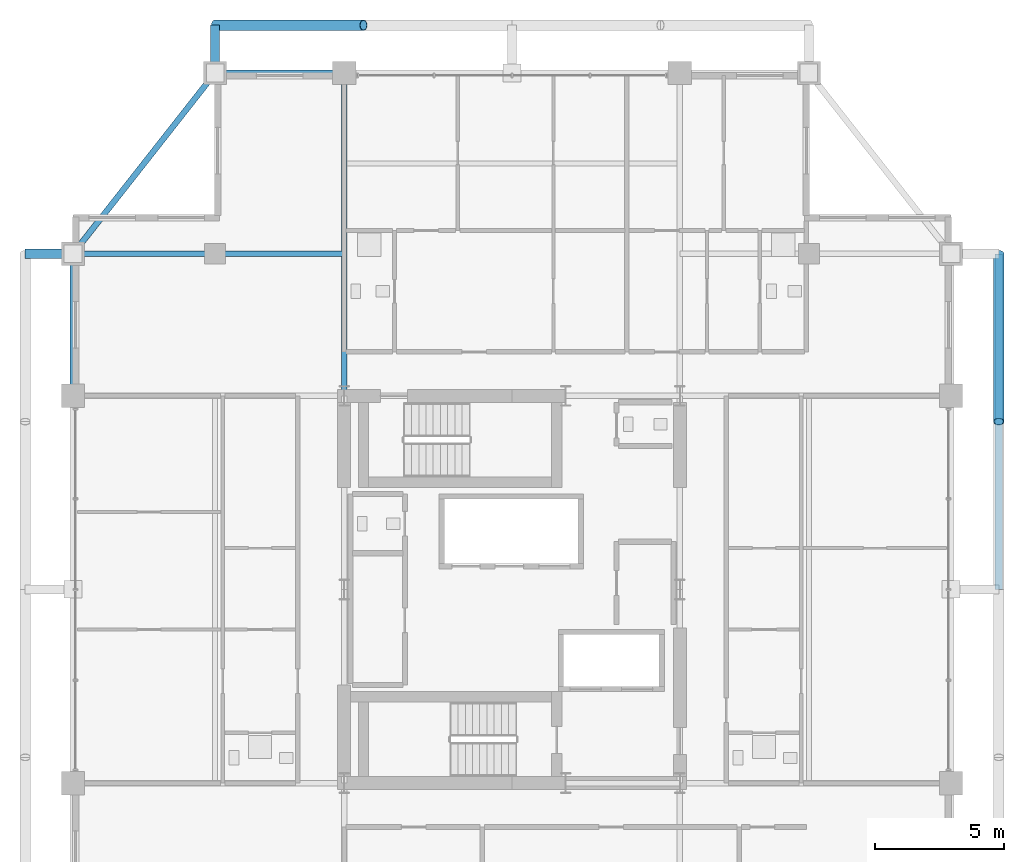
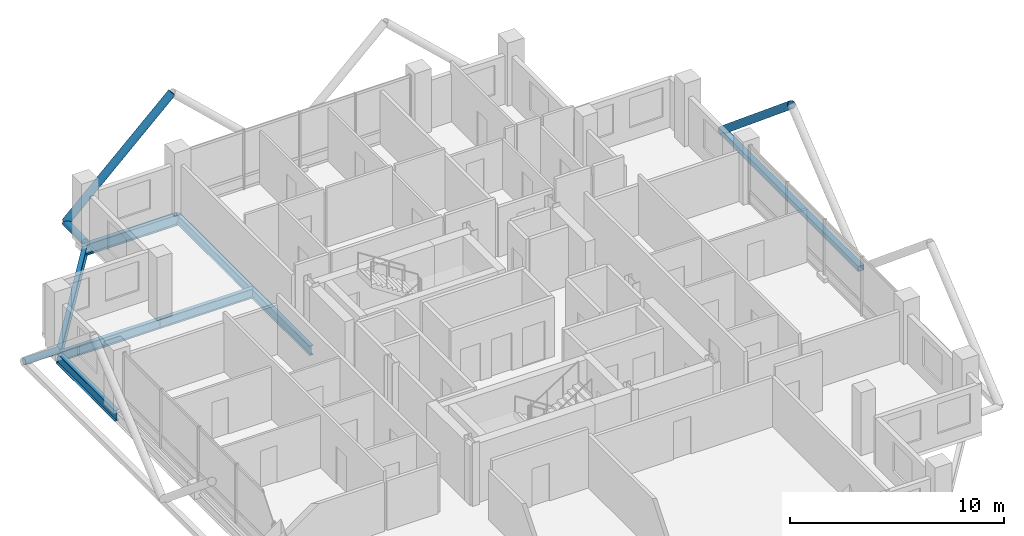
# One storey, part 14 of 24: 6 beams, 5 members.
"""IFC4 building model written with IfcOpenShell, lengths in metres."""

from ifc_helpers import new_model, si_unit, direction, frame, origin, origin_2d, place, context, subcontext, project, spatial, hollow_rectangle, hollow_circle, i_section, extrude, material, material_profile, profile_set, type_object, element, save


model = new_model("IFC4")

# Units and contexts
model_context = context("Model", 3, precision=1e-05, world=origin(), true_north=direction((0.0, 1.0)))
body_context = subcontext(model_context, "Body", "Model", "MODEL_VIEW")
ifc_project = project(units=[si_unit("LENGTHUNIT", "METRE"), si_unit("AREAUNIT", "SQUARE_METRE"), si_unit("VOLUMEUNIT", "CUBIC_METRE"), si_unit("PLANEANGLEUNIT", "RADIAN"), si_unit("MASSUNIT", "GRAM", prefix="KILO")], contexts=[model_context])

# Site, building, storey
site_placement = place(None, origin())
site = spatial("IfcSite", under=ifc_project, at=site_placement, CompositionType="ELEMENT")
building_placement = place(site_placement, origin())
building = spatial("IfcBuilding", under=site, at=building_placement, Name="Barlavira Tower and Art Museum", CompositionType="ELEMENT")
storey_placement = place(building_placement, frame((0.0, 0.0, 251.10009765625)))
storey = spatial("IfcBuildingStorey", under=building, at=storey_placement, Name="L65", CompositionType="ELEMENT", Elevation=251.10009765625)

# Members
ifc_material = material(Name="Steel S355", Category="steel")
ifc_material_profile_1 = material_profile(ifc_material, hollow_circle(Radius=0.203125, WallThickness=0.01611328125, at=origin_2d()), Name="CHS 406.4x16.0")
ifc_profile_set_1 = profile_set([ifc_material_profile_1], Name="Steel S355")
member_type_1 = type_object("IfcMemberType", Name="Pale-Metal Exoskeleton Diagrid Tube CHS 406x16 Steel S355", PredefinedType="BRACE", material=ifc_profile_set_1)
member_1_placement = place(storey_placement, frame((-11.5, 21.85009765625, -0.1201171875), z_axis=(0.728950095515, 0.0, 0.684566839869), x_axis=(0.0, 1.0, 0.0)))
element("IfcMember", 1, at=member_1_placement, inside=storey, type_object=member_type_1, Name="L65 Exoskeleton Diagrid Tube N", PredefinedType="BRACE", context=body_context, shape_type="SweptSolid", body=[
    extrude(hollow_circle(Radius=0.203125, WallThickness=0.01611328125, at=origin_2d()), origin(), (0.0, 0.0, 1.0), 7.887939453125),
])
member_2_placement = place(storey_placement, frame((18.85009765625, 13.0, -0.1201171875), z_axis=(0.0, -0.769196053329, 0.639012857104), x_axis=(1.0, 0.0, 0.0)))
element("IfcMember", 2, at=member_2_placement, inside=storey, type_object=member_type_1, Name="L65 Exoskeleton Diagrid Tube E", PredefinedType="BRACE", context=body_context, shape_type="SweptSolid", body=[
    extrude(hollow_circle(Radius=0.203125, WallThickness=0.01611328125, at=origin_2d()), origin(), (0.0, 0.0, 1.0), 8.450439453125),
])
ifc_material_profile_2 = material_profile(ifc_material, hollow_circle(Radius=0.177734375, WallThickness=0.01611328125, at=origin_2d()), Name="CHS 355.6x16.0")
ifc_profile_set_2 = profile_set([ifc_material_profile_2], Name="Steel S355")
member_type_2 = type_object("IfcMemberType", Name="Pale-Metal Exoskeleton Tie Strut CHS 356x16 Steel S355", PredefinedType="STRUT", material=ifc_profile_set_2)
for number, where, z_axis, x_axis, name in (
    (3, (-11.5, 21.85009765625, -0.1201171875), (0.0, -1.0, 0.0), (1.0, 0.0, 0.0), "L65 Exoskeleton Tie Strut N1"),
    (4, (-18.85009765625, 13.0, -0.1201171875), (1.0, 0.0, 0.0), (0.0, 1.0, 0.0), "L65 Exoskeleton Tie Strut W3"),
):
    element("IfcMember", number, at=place(storey_placement, frame(where, z_axis=z_axis, x_axis=x_axis)), inside=storey, type_object=member_type_2, Name=name, PredefinedType="STRUT", context=body_context, shape_type="SweptSolid", body=[
        extrude(hollow_circle(Radius=0.177734375, WallThickness=0.01611328125, at=origin_2d()), origin(), (0.0, 0.0, 1.0), 1.85009765625),
    ])
ifc_material_profile_3 = material_profile(ifc_material, hollow_rectangle(XDim=0.300048828125, YDim=0.300048828125, WallThickness=0.01611328125, at=origin_2d()), Name="SHS 300x300x16.0")
ifc_profile_set_3 = profile_set([ifc_material_profile_3], Name="Steel S355")
member_type_3 = type_object("IfcMemberType", Name="Pale-Metal Upper Ring Strut SHS 300x300x16 Steel S355", PredefinedType="STRUT", material=ifc_profile_set_3)
member_3_placement = place(storey_placement, frame((18.85009765625, 0.0, -0.1201171875), z_axis=(0.0, 1.0, 0.0), x_axis=(-1.0, 0.0, 0.0)))
element("IfcMember", 5, at=member_3_placement, inside=storey, type_object=member_type_3, Name="L65 Exoskeleton Ring Strut E", PredefinedType="STRUT", context=body_context, shape_type="SweptSolid", body=[
    extrude(hollow_rectangle(XDim=0.300048828125, YDim=0.300048828125, WallThickness=0.01611328125, at=origin_2d()), origin(), (0.0, 0.0, 1.0), 13.0),
])

# Beams
ifc_material_profile_4 = material_profile(ifc_material, i_section(OverallWidth=0.22998046875, OverallDepth=0.616943359375, WebThickness=0.01318359375, FlangeThickness=0.022216796875, at=origin_2d()), Name="W610x140.0")
ifc_profile_set_4 = profile_set([ifc_material_profile_4], Name="Steel S355")
beam_type_1 = type_object("IfcBeamType", Name="Upper Shaft Spandrel Edge Beam W610x140 Steel S355", PredefinedType="SPANDREL", material=ifc_profile_set_4)
beam_1_placement = place(storey_placement, frame((-11.5, 20.0, -0.528564453125), z_axis=(1.0, 0.0, 0.0), x_axis=(0.0, 1.0, 0.0)))
element("IfcBeam", 6, at=beam_1_placement, inside=storey, type_object=beam_type_1, Name="L65 Spandrel 11", PredefinedType="SPANDREL", context=body_context, shape_type="SweptSolid", body=[
    extrude(i_section(OverallWidth=0.22998046875, OverallDepth=0.616943359375, WebThickness=0.01318359375, FlangeThickness=0.022216796875, at=origin_2d()), origin(), (0.0, 0.0, 1.0), 5.0),
])
beam_2_placement = place(storey_placement, frame((-11.5, 20.0, -0.528564453125), z_axis=(-0.617821551932, -0.786318338822, 0.0), x_axis=(0.786318338822, -0.617821551932, 0.0)))
element("IfcBeam", 7, at=beam_2_placement, inside=storey, type_object=beam_type_1, Name="L65 Spandrel 12", PredefinedType="SPANDREL", context=body_context, shape_type="SweptSolid", body=[
    extrude(i_section(OverallWidth=0.22998046875, OverallDepth=0.616943359375, WebThickness=0.01318359375, FlangeThickness=0.022216796875, at=origin_2d()), origin(), (0.0, 0.0, 1.0), 8.90234375),
])
beam_3_placement = place(storey_placement, frame((-17.0, 7.5, -0.528564453125), z_axis=(0.0, 1.0, 0.0), x_axis=(-1.0, 0.0, 0.0)))
element("IfcBeam", 8, at=beam_3_placement, inside=storey, type_object=beam_type_1, Name="L65 Spandrel 13", PredefinedType="SPANDREL", context=body_context, shape_type="SweptSolid", body=[
    extrude(i_section(OverallWidth=0.22998046875, OverallDepth=0.616943359375, WebThickness=0.01318359375, FlangeThickness=0.022216796875, at=origin_2d()), origin(), (0.0, 0.0, 1.0), 5.5),
])
ifc_material_profile_5 = material_profile(ifc_material, i_section(OverallWidth=0.2109375, OverallDepth=0.5390625, WebThickness=0.01171875, FlangeThickness=0.018798828125, at=origin_2d()), Name="W530x109.0")
ifc_profile_set_5 = profile_set([ifc_material_profile_5], Name="Steel S355")
beam_type_2 = type_object("IfcBeamType", Name="Zone 3-4 Primary Floor Girder W530x109 Steel S355", PredefinedType="BEAM", material=ifc_profile_set_5)
beam_4_placement = place(storey_placement, frame((-6.5, 7.5, -0.489501953125), z_axis=(0.0, 1.0, 0.0), x_axis=(-1.0, 0.0, 0.0)))
element("IfcBeam", 9, at=beam_4_placement, inside=storey, type_object=beam_type_2, Name="L65 Girder R-N1", PredefinedType="BEAM", context=body_context, shape_type="SweptSolid", body=[
    extrude(i_section(OverallWidth=0.2109375, OverallDepth=0.5390625, WebThickness=0.01171875, FlangeThickness=0.018798828125, at=origin_2d()), origin(), (0.0, 0.0, 1.0), 12.5),
])
beam_5_placement = place(storey_placement, frame((-17.0, 13.0, -0.489501953125), z_axis=(1.0, 0.0, 0.0), x_axis=(0.0, 1.0, 0.0)))
element("IfcBeam", 10, at=beam_5_placement, inside=storey, type_object=beam_type_2, Name="L65 Girder I-N1", PredefinedType="BEAM", context=body_context, shape_type="SweptSolid", body=[
    extrude(i_section(OverallWidth=0.2109375, OverallDepth=0.5390625, WebThickness=0.01171875, FlangeThickness=0.018798828125, at=origin_2d()), origin(), (0.0, 0.0, 1.0), 5.5),
])
beam_6_placement = place(storey_placement, frame((-11.5, 13.0, -0.489501953125), z_axis=(1.0, 0.0, 0.0), x_axis=(0.0, 1.0, 0.0)))
element("IfcBeam", 11, at=beam_6_placement, inside=storey, type_object=beam_type_2, Name="L65 Girder I-N2", PredefinedType="BEAM", context=body_context, shape_type="SweptSolid", body=[
    extrude(i_section(OverallWidth=0.2109375, OverallDepth=0.5390625, WebThickness=0.01171875, FlangeThickness=0.018798828125, at=origin_2d()), origin(), (0.0, 0.0, 1.0), 5.0),
])

save(model, "model.ifc")
